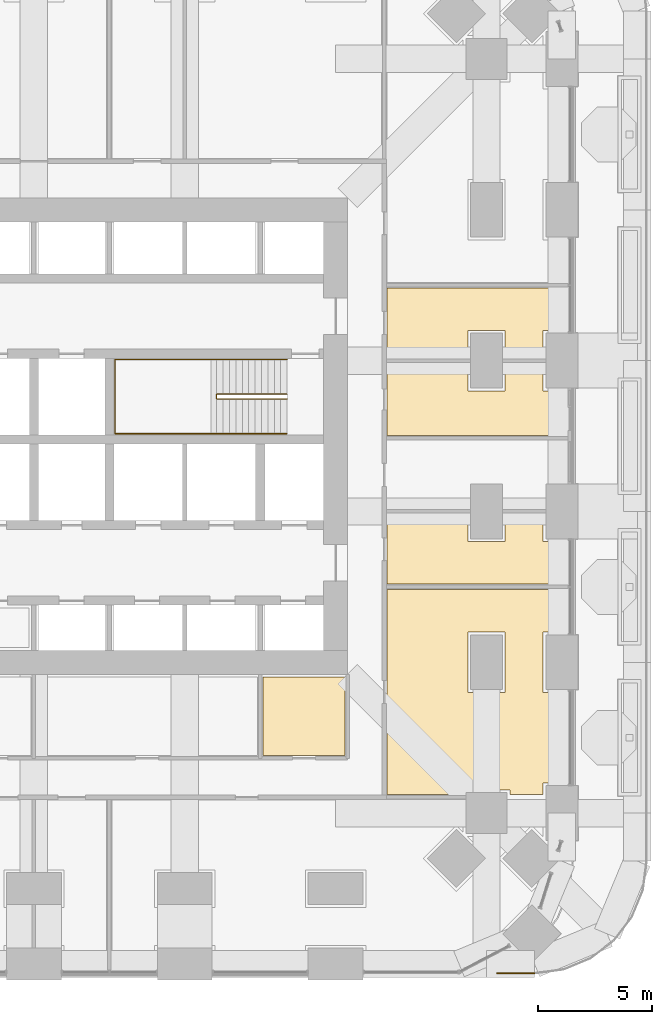
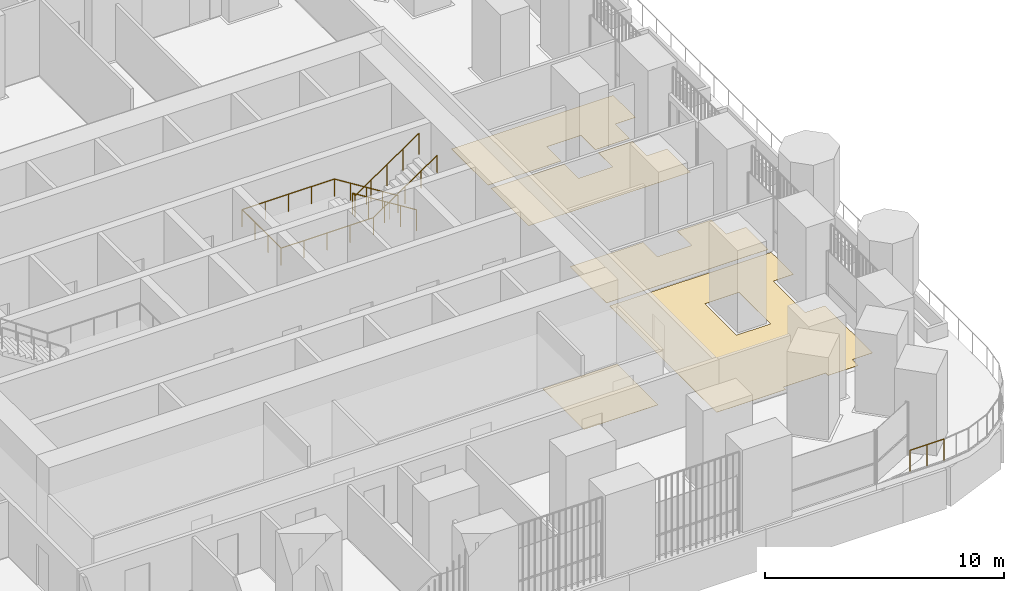
# One storey, part 24 of 27: 5 coverings, 3 railings.
"""IFC4 building model written with IfcOpenShell, lengths in metres."""

from ifc_helpers import new_model, si_unit, direction, frame, origin, place, context, subcontext, project, spatial, polyline, outline, extrude, material, layer, layer_set, type_object, element, save


model = new_model("IFC4")

# Units and contexts
model_context = context("Model", 3, precision=1e-05, world=origin(), true_north=direction((0.0, 1.0)))
body_context = subcontext(model_context, "Body", "Model", "MODEL_VIEW")
ifc_project = project(units=[si_unit("LENGTHUNIT", "METRE"), si_unit("AREAUNIT", "SQUARE_METRE"), si_unit("VOLUMEUNIT", "CUBIC_METRE"), si_unit("PLANEANGLEUNIT", "RADIAN"), si_unit("MASSUNIT", "GRAM", prefix="KILO")], contexts=[model_context])

# Site, building, storey
site_placement = place(None, origin())
site = spatial("IfcSite", under=ifc_project, at=site_placement, CompositionType="ELEMENT")
building_placement = place(site_placement, origin())
building = spatial("IfcBuilding", under=site, at=building_placement, Name="Cobogo Forest Laboratory Tower", CompositionType="ELEMENT")
storey_placement = place(building_placement, frame((0.0, 0.0, 82.199951171875)))
storey = spatial("IfcBuildingStorey", under=building, at=storey_placement, Name="L18", CompositionType="ELEMENT", Elevation=82.199951171875)

# Railing
ifc_material_1 = material(Name="Laminated glass balustrade", Category="glass")
railing_type_1 = type_object("IfcRailingType", Name="BG1 glass balustrade 1100", PredefinedType="GUARDRAIL", material=ifc_material_1)
railing_1_placement = place(storey_placement, frame((46.657958984375, -0.39990234375, 0.06005859375)))
element("IfcRailing", 1, at=railing_1_placement, inside=storey, type_object=railing_type_1, Name="Terrace balustrade TER-E L18", PredefinedType="GUARDRAIL", context=body_context, shape_type="SweptSolid", body=[
    extrude(outline(polyline([(0.022216796875, 0.00927734375), (0.00927734375, 0.022216796875), (-0.00927734375, 0.022216796875), (-0.022216796875, 0.00927734375), (-0.022216796875, -0.00927734375), (-0.00927734375, -0.022216796875), (0.00927734375, -0.022216796875), (0.022216796875, -0.00927734375), (0.022216796875, 0.00927734375)])), frame((0.0, 0.0, 1.077880859375), z_axis=(1.0, 0.0, 0.0), x_axis=(0.0, 1.0, 0.0)), (0.0, 0.0, 1.0), 1.638671875),
    extrude(outline(polyline([(0.019287109375, 0.008056640625), (0.008056640625, 0.019287109375), (-0.008056640625, 0.019287109375), (-0.019287109375, 0.008056640625), (-0.019287109375, -0.008056640625), (-0.008056640625, -0.019287109375), (0.008056640625, -0.019287109375), (0.019287109375, -0.008056640625), (0.019287109375, 0.008056640625)])), origin(), (0.0, 0.0, 1.0), 1.077880859375),
    extrude(outline(polyline([(0.019287109375, 0.008056640625), (0.008056640625, 0.019287109375), (-0.008056640625, 0.019287109375), (-0.019287109375, 0.008056640625), (-0.019287109375, -0.008056640625), (-0.008056640625, -0.019287109375), (0.008056640625, -0.019287109375), (0.019287109375, -0.008056640625), (0.019287109375, 0.008056640625)])), frame((0.8193359375, 0.0, 0.0)), (0.0, 0.0, 1.0), 1.077880859375),
    extrude(outline(polyline([(0.019287109375, 0.008056640625), (0.008056640625, 0.019287109375), (-0.008056640625, 0.019287109375), (-0.019287109375, 0.008056640625), (-0.019287109375, -0.008056640625), (-0.008056640625, -0.019287109375), (0.008056640625, -0.019287109375), (0.019287109375, -0.008056640625), (0.019287109375, 0.008056640625)])), frame((1.638671875, 0.0, 0.0)), (0.0, 0.0, 1.0), 1.077880859375),
])

# Coverings
ifc_material_2 = material(Name="Carpet tile on raised access floor", Category="flooring")
ifc_layer_1 = layer(ifc_material_2, 0.008056640625)
ifc_layer_set_1 = layer_set([ifc_layer_1], Name="CT1 carpet tile floor 8")
covering_type_1 = type_object("IfcCoveringType", Name="CT1 carpet tile floor 8", PredefinedType="FLOORING", material=ifc_layer_set_1)
covering_1_placement = place(storey_placement, origin())
element("IfcCovering", 2, at=covering_1_placement, inside=storey, type_object=covering_type_1, Name="Carpet floor L18-11", PredefinedType="FLOORING", context=body_context, shape_type="SweptSolid", body=[
    extrude(outline(polyline([(41.844970703125, 16.3798828125), (49.64990234375, 16.3798828125), (49.64990234375, 14.52001953125), (48.679931640625, 14.52001953125), (48.679931640625, 11.8798828125), (49.64990234375, 11.8798828125), (49.64990234375, 7.919921875), (48.679931640625, 7.919921875), (48.679931640625, 7.419921875), (47.219970703125, 7.419921875), (47.219970703125, 7.6201171875), (45.179931640625, 7.6201171875), (45.179931640625, 7.419921875), (41.844970703125, 7.419921875), (41.844970703125, 16.3798828125)]), holes=[polyline([(45.3798828125, 11.8798828125), (47.02001953125, 11.8798828125), (47.02001953125, 14.52001953125), (45.3798828125, 14.52001953125), (45.3798828125, 11.8798828125)])]), origin(), (0.0, 0.0, 1.0), 0.008056640625),
])
covering_2_placement = place(storey_placement, origin())
element("IfcCovering", 3, at=covering_2_placement, inside=storey, type_object=covering_type_1, Name="Carpet floor L18-12", PredefinedType="FLOORING", context=body_context, shape_type="SweptSolid", body=[
    extrude(outline(polyline([(41.844970703125, 19.679931640625), (45.3798828125, 19.679931640625), (45.3798828125, 18.47998046875), (47.02001953125, 18.47998046875), (47.02001953125, 19.679931640625), (48.679931640625, 19.679931640625), (48.679931640625, 18.47998046875), (49.64990234375, 18.47998046875), (49.64990234375, 16.6201171875), (41.844970703125, 16.6201171875), (41.844970703125, 19.679931640625)])), origin(), (0.0, 0.0, 1.0), 0.008056640625),
])
covering_3_placement = place(storey_placement, origin())
element("IfcCovering", 4, at=covering_3_placement, inside=storey, type_object=covering_type_1, Name="Carpet floor L18-15", PredefinedType="FLOORING", context=body_context, shape_type="SweptSolid", body=[
    extrude(outline(polyline([(41.844970703125, 29.580078125), (49.64990234375, 29.580078125), (49.64990234375, 27.719970703125), (48.679931640625, 27.719970703125), (48.679931640625, 26.52001953125), (47.02001953125, 26.52001953125), (47.02001953125, 27.719970703125), (45.3798828125, 27.719970703125), (45.3798828125, 26.52001953125), (41.844970703125, 26.52001953125), (41.844970703125, 29.580078125)])), origin(), (0.0, 0.0, 1.0), 0.008056640625),
])

# Railings
ifc_material_3 = material(Name="Steel balustrade", Category="steel")
railing_type_2 = type_object("IfcRailingType", Name="GR stair guard 1100", PredefinedType="GUARDRAIL", material=ifc_material_3)
railing_2_placement = place(storey_placement, frame((37.47509765625, 24.929931640625, 0.175048828125)))
element("IfcRailing", 5, at=railing_2_placement, inside=storey, type_object=railing_type_2, Name="Stair guard ST2 L18", PredefinedType="GUARDRAIL", context=body_context, shape_type="SweptSolid", body=[
    extrude(outline(polyline([(0.022216796875, 0.00927734375), (0.00927734375, 0.022216796875), (-0.00927734375, 0.022216796875), (-0.022216796875, 0.00927734375), (-0.022216796875, -0.00927734375), (-0.00927734375, -0.022216796875), (0.00927734375, -0.022216796875), (0.022216796875, -0.00927734375), (0.022216796875, 0.00927734375)])), frame((0.0, 0.0, 1.077880859375), z_axis=(-0.847998304005, 0.0, 0.529998940003), x_axis=(0.0, -1.0, 0.0)), (0.0, 0.0, 1.0), 3.632080078125),
    extrude(outline(polyline([(0.022216796875, 0.00927734375), (0.00927734375, 0.022216796875), (-0.00927734375, 0.022216796875), (-0.022216796875, 0.00927734375), (-0.022216796875, -0.00927734375), (-0.00927734375, -0.022216796875), (0.00927734375, -0.022216796875), (0.022216796875, -0.00927734375), (0.022216796875, 0.00927734375)])), frame((-3.080078125, 0.0, 3.0029296875), z_axis=(0.0, -1.0, 0.0), x_axis=(1.0, 0.0, 0.0)), (0.0, 0.0, 1.0), 0.2099609375),
    extrude(outline(polyline([(0.022216796875, 0.00927734375), (0.00927734375, 0.022216796875), (-0.00927734375, 0.022216796875), (-0.022216796875, 0.00927734375), (-0.022216796875, -0.00927734375), (-0.00927734375, -0.022216796875), (0.00927734375, -0.022216796875), (0.022216796875, -0.00927734375), (0.022216796875, 0.00927734375)])), frame((-3.080078125, -0.2099609375, 3.0029296875), z_axis=(0.826252282691, 0.0, 0.563300244406), x_axis=(0.0, 1.0, 0.0)), (0.0, 0.0, 1.0), 3.727783203125),
    extrude(outline(polyline([(0.019287109375, 0.008056640625), (0.008056640625, 0.019287109375), (-0.008056640625, 0.019287109375), (-0.019287109375, 0.008056640625), (-0.019287109375, -0.008056640625), (-0.008056640625, -0.019287109375), (0.008056640625, -0.019287109375), (0.019287109375, -0.008056640625), (0.019287109375, 0.008056640625)])), origin(), (0.0, 0.0, 1.0), 1.077880859375),
    extrude(outline(polyline([(0.019287109375, 0.008056640625), (0.008056640625, 0.019287109375), (-0.008056640625, 0.019287109375), (-0.019287109375, 0.008056640625), (-0.019287109375, -0.008056640625), (-0.008056640625, -0.019287109375), (0.008056640625, -0.019287109375), (0.019287109375, -0.008056640625), (0.019287109375, 0.008056640625)])), frame((-0.77001953125, 0.0, 0.481201171875)), (0.0, 0.0, 1.0), 1.077880859375),
    extrude(outline(polyline([(0.019287109375, 0.008056640625), (0.008056640625, 0.019287109375), (-0.008056640625, 0.019287109375), (-0.019287109375, 0.008056640625), (-0.019287109375, -0.008056640625), (-0.008056640625, -0.019287109375), (0.008056640625, -0.019287109375), (0.019287109375, -0.008056640625), (0.019287109375, 0.008056640625)])), frame((-1.5400390625, 0.0, 0.96240234375)), (0.0, 0.0, 1.0), 1.077880859375),
    extrude(outline(polyline([(0.019287109375, 0.008056640625), (0.008056640625, 0.019287109375), (-0.008056640625, 0.019287109375), (-0.019287109375, 0.008056640625), (-0.019287109375, -0.008056640625), (-0.008056640625, -0.019287109375), (0.008056640625, -0.019287109375), (0.019287109375, -0.008056640625), (0.019287109375, 0.008056640625)])), frame((-2.31005859375, 0.0, 1.44384765625)), (0.0, 0.0, 1.0), 1.077880859375),
    extrude(outline(polyline([(0.019287109375, 0.008056640625), (0.008056640625, 0.019287109375), (-0.008056640625, 0.019287109375), (-0.019287109375, 0.008056640625), (-0.019287109375, -0.008056640625), (-0.008056640625, -0.019287109375), (0.008056640625, -0.019287109375), (0.019287109375, -0.008056640625), (0.019287109375, 0.008056640625)])), frame((-3.080078125, 0.0, 1.925048828125)), (0.0, 0.0, 1.0), 1.077880859375),
    extrude(outline(polyline([(0.019287109375, 0.008056640625), (0.008056640625, 0.019287109375), (-0.008056640625, 0.019287109375), (-0.019287109375, 0.008056640625), (-0.019287109375, -0.008056640625), (-0.008056640625, -0.019287109375), (0.008056640625, -0.019287109375), (0.019287109375, -0.008056640625), (0.019287109375, 0.008056640625)])), frame((-3.080078125, -0.2099609375, 1.925048828125)), (0.0, 0.0, 1.0), 1.077880859375),
    extrude(outline(polyline([(0.019287109375, 0.008056640625), (0.008056640625, 0.019287109375), (-0.008056640625, 0.019287109375), (-0.019287109375, 0.008056640625), (-0.019287109375, -0.008056640625), (-0.008056640625, -0.019287109375), (0.008056640625, -0.019287109375), (0.019287109375, -0.008056640625), (0.019287109375, 0.008056640625)])), frame((-2.31005859375, -0.2099609375, 2.449951171875)), (0.0, 0.0, 1.0), 1.077880859375),
    extrude(outline(polyline([(0.019287109375, 0.008056640625), (0.008056640625, 0.019287109375), (-0.008056640625, 0.019287109375), (-0.019287109375, 0.008056640625), (-0.019287109375, -0.008056640625), (-0.008056640625, -0.019287109375), (0.008056640625, -0.019287109375), (0.019287109375, -0.008056640625), (0.019287109375, 0.008056640625)])), frame((-1.5400390625, -0.2099609375, 2.97509765625)), (0.0, 0.0, 1.0), 1.077880859375),
    extrude(outline(polyline([(0.019287109375, 0.008056640625), (0.008056640625, 0.019287109375), (-0.008056640625, 0.019287109375), (-0.019287109375, 0.008056640625), (-0.019287109375, -0.008056640625), (-0.008056640625, -0.019287109375), (0.008056640625, -0.019287109375), (0.019287109375, -0.008056640625), (0.019287109375, 0.008056640625)])), frame((-0.77001953125, -0.2099609375, 3.5)), (0.0, 0.0, 1.0), 1.077880859375),
    extrude(outline(polyline([(0.019287109375, 0.008056640625), (0.008056640625, 0.019287109375), (-0.008056640625, 0.019287109375), (-0.019287109375, 0.008056640625), (-0.019287109375, -0.008056640625), (-0.008056640625, -0.019287109375), (0.008056640625, -0.019287109375), (0.019287109375, -0.008056640625), (0.019287109375, 0.008056640625)])), frame((0.0, -0.2099609375, 4.02490234375)), (0.0, 0.0, 1.0), 1.077880859375),
])
ifc_material_4 = material(Name="Stainless steel handrail", Category="steel")
railing_type_3 = type_object("IfcRailingType", Name="HR handrail 900", PredefinedType="HANDRAIL", material=ifc_material_4)
railing_3_placement = place(storey_placement, frame((37.47509765625, 26.449951171875, 0.175048828125)))
element("IfcRailing", 6, at=railing_3_placement, inside=storey, type_object=railing_type_3, Name="Stair handrail ST2 L18", PredefinedType="HANDRAIL", context=body_context, shape_type="SweptSolid", body=[
    extrude(outline(polyline([(0.022216796875, 0.00927734375), (0.00927734375, 0.022216796875), (-0.00927734375, 0.022216796875), (-0.022216796875, 0.00927734375), (-0.022216796875, -0.00927734375), (-0.00927734375, -0.022216796875), (0.00927734375, -0.022216796875), (0.022216796875, -0.00927734375), (0.022216796875, 0.00927734375)])), frame((0.0, 0.0, 0.877685546875), z_axis=(-0.847998304005, 0.0, 0.529998940003), x_axis=(0.0, -1.0, 0.0)), (0.0, 0.0, 1.0), 3.632080078125),
    extrude(outline(polyline([(0.022216796875, 0.00927734375), (0.00927734375, 0.022216796875), (-0.00927734375, 0.022216796875), (-0.022216796875, 0.00927734375), (-0.022216796875, -0.00927734375), (-0.00927734375, -0.022216796875), (0.00927734375, -0.022216796875), (0.022216796875, -0.00927734375), (0.022216796875, 0.00927734375)])), frame((-3.080078125, 0.0, 2.802734375), z_axis=(-1.0, 0.0, 0.0), x_axis=(0.0, -1.0, 0.0)), (0.0, 0.0, 1.0), 4.445068359375),
    extrude(outline(polyline([(0.022216796875, 0.00927734375), (0.00927734375, 0.022216796875), (-0.00927734375, 0.022216796875), (-0.022216796875, 0.00927734375), (-0.022216796875, -0.00927734375), (-0.00927734375, -0.022216796875), (0.00927734375, -0.022216796875), (0.022216796875, -0.00927734375), (0.022216796875, 0.00927734375)])), frame((-7.525146484375, 0.0, 2.802734375), z_axis=(0.0, -1.0, 0.0), x_axis=(1.0, 0.0, 0.0)), (0.0, 0.0, 1.0), 3.25),
    extrude(outline(polyline([(0.022216796875, 0.00927734375), (0.00927734375, 0.022216796875), (-0.00927734375, 0.022216796875), (-0.022216796875, 0.00927734375), (-0.022216796875, -0.00927734375), (-0.00927734375, -0.022216796875), (0.00927734375, -0.022216796875), (0.022216796875, -0.00927734375), (0.022216796875, 0.00927734375)])), frame((-7.525146484375, -3.25, 2.802734375), z_axis=(1.0, 0.0, 0.0), x_axis=(0.0, 1.0, 0.0)), (0.0, 0.0, 1.0), 4.445068359375),
    extrude(outline(polyline([(0.022216796875, 0.00927734375), (0.00927734375, 0.022216796875), (-0.00927734375, 0.022216796875), (-0.022216796875, 0.00927734375), (-0.022216796875, -0.00927734375), (-0.00927734375, -0.022216796875), (0.00927734375, -0.022216796875), (0.022216796875, -0.00927734375), (0.022216796875, 0.00927734375)])), frame((-3.080078125, -3.25, 2.802734375), z_axis=(0.826252282691, 0.0, 0.563300244406), x_axis=(0.0, 1.0, 0.0)), (0.0, 0.0, 1.0), 3.727783203125),
    extrude(outline(polyline([(0.019287109375, 0.008056640625), (0.008056640625, 0.019287109375), (-0.008056640625, 0.019287109375), (-0.019287109375, 0.008056640625), (-0.019287109375, -0.008056640625), (-0.008056640625, -0.019287109375), (0.008056640625, -0.019287109375), (0.019287109375, -0.008056640625), (0.019287109375, 0.008056640625)])), origin(), (0.0, 0.0, 1.0), 0.877685546875),
    extrude(outline(polyline([(0.019287109375, 0.008056640625), (0.008056640625, 0.019287109375), (-0.008056640625, 0.019287109375), (-0.019287109375, 0.008056640625), (-0.019287109375, -0.008056640625), (-0.008056640625, -0.019287109375), (0.008056640625, -0.019287109375), (0.019287109375, -0.008056640625), (0.019287109375, 0.008056640625)])), frame((-0.77001953125, 0.0, 0.481201171875)), (0.0, 0.0, 1.0), 0.877685546875),
    extrude(outline(polyline([(0.019287109375, 0.008056640625), (0.008056640625, 0.019287109375), (-0.008056640625, 0.019287109375), (-0.019287109375, 0.008056640625), (-0.019287109375, -0.008056640625), (-0.008056640625, -0.019287109375), (0.008056640625, -0.019287109375), (0.019287109375, -0.008056640625), (0.019287109375, 0.008056640625)])), frame((-1.5400390625, 0.0, 0.96240234375)), (0.0, 0.0, 1.0), 0.877685546875),
    extrude(outline(polyline([(0.019287109375, 0.008056640625), (0.008056640625, 0.019287109375), (-0.008056640625, 0.019287109375), (-0.019287109375, 0.008056640625), (-0.019287109375, -0.008056640625), (-0.008056640625, -0.019287109375), (0.008056640625, -0.019287109375), (0.019287109375, -0.008056640625), (0.019287109375, 0.008056640625)])), frame((-2.31005859375, 0.0, 1.44384765625)), (0.0, 0.0, 1.0), 0.877685546875),
    extrude(outline(polyline([(0.019287109375, 0.008056640625), (0.008056640625, 0.019287109375), (-0.008056640625, 0.019287109375), (-0.019287109375, 0.008056640625), (-0.019287109375, -0.008056640625), (-0.008056640625, -0.019287109375), (0.008056640625, -0.019287109375), (0.019287109375, -0.008056640625), (0.019287109375, 0.008056640625)])), frame((-3.080078125, 0.0, 1.925048828125)), (0.0, 0.0, 1.0), 0.877685546875),
    extrude(outline(polyline([(0.019287109375, 0.008056640625), (0.008056640625, 0.019287109375), (-0.008056640625, 0.019287109375), (-0.019287109375, 0.008056640625), (-0.019287109375, -0.008056640625), (-0.008056640625, -0.019287109375), (0.008056640625, -0.019287109375), (0.019287109375, -0.008056640625), (0.019287109375, 0.008056640625)])), frame((-4.19140625, 0.0, 1.925048828125)), (0.0, 0.0, 1.0), 0.877685546875),
    extrude(outline(polyline([(0.019287109375, 0.008056640625), (0.008056640625, 0.019287109375), (-0.008056640625, 0.019287109375), (-0.019287109375, 0.008056640625), (-0.019287109375, -0.008056640625), (-0.008056640625, -0.019287109375), (0.008056640625, -0.019287109375), (0.019287109375, -0.008056640625), (0.019287109375, 0.008056640625)])), frame((-5.302734375, 0.0, 1.925048828125)), (0.0, 0.0, 1.0), 0.877685546875),
    extrude(outline(polyline([(0.019287109375, 0.008056640625), (0.008056640625, 0.019287109375), (-0.008056640625, 0.019287109375), (-0.019287109375, 0.008056640625), (-0.019287109375, -0.008056640625), (-0.008056640625, -0.019287109375), (0.008056640625, -0.019287109375), (0.019287109375, -0.008056640625), (0.019287109375, 0.008056640625)])), frame((-6.413818359375, 0.0, 1.925048828125)), (0.0, 0.0, 1.0), 0.877685546875),
    extrude(outline(polyline([(0.019287109375, 0.008056640625), (0.008056640625, 0.019287109375), (-0.008056640625, 0.019287109375), (-0.019287109375, 0.008056640625), (-0.019287109375, -0.008056640625), (-0.008056640625, -0.019287109375), (0.008056640625, -0.019287109375), (0.019287109375, -0.008056640625), (0.019287109375, 0.008056640625)])), frame((-7.525146484375, 0.0, 1.925048828125)), (0.0, 0.0, 1.0), 0.877685546875),
    extrude(outline(polyline([(0.019287109375, 0.008056640625), (0.008056640625, 0.019287109375), (-0.008056640625, 0.019287109375), (-0.019287109375, 0.008056640625), (-0.019287109375, -0.008056640625), (-0.008056640625, -0.019287109375), (0.008056640625, -0.019287109375), (0.019287109375, -0.008056640625), (0.019287109375, 0.008056640625)])), frame((-7.525146484375, -1.083251953125, 1.925048828125)), (0.0, 0.0, 1.0), 0.877685546875),
    extrude(outline(polyline([(0.019287109375, 0.008056640625), (0.008056640625, 0.019287109375), (-0.008056640625, 0.019287109375), (-0.019287109375, 0.008056640625), (-0.019287109375, -0.008056640625), (-0.008056640625, -0.019287109375), (0.008056640625, -0.019287109375), (0.019287109375, -0.008056640625), (0.019287109375, 0.008056640625)])), frame((-7.525146484375, -2.166748046875, 1.925048828125)), (0.0, 0.0, 1.0), 0.877685546875),
    extrude(outline(polyline([(0.019287109375, 0.008056640625), (0.008056640625, 0.019287109375), (-0.008056640625, 0.019287109375), (-0.019287109375, 0.008056640625), (-0.019287109375, -0.008056640625), (-0.008056640625, -0.019287109375), (0.008056640625, -0.019287109375), (0.019287109375, -0.008056640625), (0.019287109375, 0.008056640625)])), frame((-7.525146484375, -3.25, 1.925048828125)), (0.0, 0.0, 1.0), 0.877685546875),
    extrude(outline(polyline([(0.019287109375, 0.008056640625), (0.008056640625, 0.019287109375), (-0.008056640625, 0.019287109375), (-0.019287109375, 0.008056640625), (-0.019287109375, -0.008056640625), (-0.008056640625, -0.019287109375), (0.008056640625, -0.019287109375), (0.019287109375, -0.008056640625), (0.019287109375, 0.008056640625)])), frame((-6.413818359375, -3.25, 1.925048828125)), (0.0, 0.0, 1.0), 0.877685546875),
    extrude(outline(polyline([(0.019287109375, 0.008056640625), (0.008056640625, 0.019287109375), (-0.008056640625, 0.019287109375), (-0.019287109375, 0.008056640625), (-0.019287109375, -0.008056640625), (-0.008056640625, -0.019287109375), (0.008056640625, -0.019287109375), (0.019287109375, -0.008056640625), (0.019287109375, 0.008056640625)])), frame((-5.302734375, -3.25, 1.925048828125)), (0.0, 0.0, 1.0), 0.877685546875),
    extrude(outline(polyline([(0.019287109375, 0.008056640625), (0.008056640625, 0.019287109375), (-0.008056640625, 0.019287109375), (-0.019287109375, 0.008056640625), (-0.019287109375, -0.008056640625), (-0.008056640625, -0.019287109375), (0.008056640625, -0.019287109375), (0.019287109375, -0.008056640625), (0.019287109375, 0.008056640625)])), frame((-4.19140625, -3.25, 1.925048828125)), (0.0, 0.0, 1.0), 0.877685546875),
    extrude(outline(polyline([(0.019287109375, 0.008056640625), (0.008056640625, 0.019287109375), (-0.008056640625, 0.019287109375), (-0.019287109375, 0.008056640625), (-0.019287109375, -0.008056640625), (-0.008056640625, -0.019287109375), (0.008056640625, -0.019287109375), (0.019287109375, -0.008056640625), (0.019287109375, 0.008056640625)])), frame((-3.080078125, -3.25, 1.925048828125)), (0.0, 0.0, 1.0), 0.877685546875),
    extrude(outline(polyline([(0.019287109375, 0.008056640625), (0.008056640625, 0.019287109375), (-0.008056640625, 0.019287109375), (-0.019287109375, 0.008056640625), (-0.019287109375, -0.008056640625), (-0.008056640625, -0.019287109375), (0.008056640625, -0.019287109375), (0.019287109375, -0.008056640625), (0.019287109375, 0.008056640625)])), frame((-2.31005859375, -3.25, 2.449951171875)), (0.0, 0.0, 1.0), 0.877685546875),
    extrude(outline(polyline([(0.019287109375, 0.008056640625), (0.008056640625, 0.019287109375), (-0.008056640625, 0.019287109375), (-0.019287109375, 0.008056640625), (-0.019287109375, -0.008056640625), (-0.008056640625, -0.019287109375), (0.008056640625, -0.019287109375), (0.019287109375, -0.008056640625), (0.019287109375, 0.008056640625)])), frame((-1.5400390625, -3.25, 2.97509765625)), (0.0, 0.0, 1.0), 0.877685546875),
    extrude(outline(polyline([(0.019287109375, 0.008056640625), (0.008056640625, 0.019287109375), (-0.008056640625, 0.019287109375), (-0.019287109375, 0.008056640625), (-0.019287109375, -0.008056640625), (-0.008056640625, -0.019287109375), (0.008056640625, -0.019287109375), (0.019287109375, -0.008056640625), (0.019287109375, 0.008056640625)])), frame((-0.77001953125, -3.25, 3.5)), (0.0, 0.0, 1.0), 0.877685546875),
    extrude(outline(polyline([(0.019287109375, 0.008056640625), (0.008056640625, 0.019287109375), (-0.008056640625, 0.019287109375), (-0.019287109375, 0.008056640625), (-0.019287109375, -0.008056640625), (-0.008056640625, -0.019287109375), (0.008056640625, -0.019287109375), (0.019287109375, -0.008056640625), (0.019287109375, 0.008056640625)])), frame((0.0, -3.25, 4.02490234375)), (0.0, 0.0, 1.0), 0.877685546875),
])

# Coverings
ifc_material_5 = material(Name="Static-dissipative vinyl flooring", Category="flooring")
ifc_layer_2 = layer(ifc_material_5, 0.0029296875)
ifc_layer_set_2 = layer_set([ifc_layer_2], Name="SD1 static-dissipative vinyl floor 3")
covering_type_2 = type_object("IfcCoveringType", Name="SD1 static-dissipative vinyl floor 3", PredefinedType="FLOORING", material=ifc_layer_set_2)
covering_4_placement = place(storey_placement, origin())
element("IfcCovering", 7, at=covering_4_placement, inside=storey, type_object=covering_type_2, Name="Static-dissipative floor L18-14", PredefinedType="FLOORING", context=body_context, shape_type="SweptSolid", body=[
    extrude(outline(polyline([(41.844970703125, 26.280029296875), (45.3798828125, 26.280029296875), (45.3798828125, 25.080078125), (47.02001953125, 25.080078125), (47.02001953125, 26.280029296875), (48.679931640625, 26.280029296875), (48.679931640625, 25.080078125), (49.64990234375, 25.080078125), (49.64990234375, 23.1201171875), (41.844970703125, 23.1201171875), (41.844970703125, 26.280029296875)])), origin(), (0.0, 0.0, 1.0), 0.0029296875),
])
ifc_material_6 = material(Name="Ceramic floor tile", Category="flooring")
ifc_layer_3 = layer(ifc_material_6, 0.010009765625)
ifc_layer_set_3 = layer_set([ifc_layer_3], Name="TF1 ceramic tile floor 10")
covering_type_3 = type_object("IfcCoveringType", Name="TF1 ceramic tile floor 10", PredefinedType="FLOORING", material=ifc_layer_set_3)
covering_5_placement = place(storey_placement, origin())
element("IfcCovering", 8, at=covering_5_placement, inside=storey, type_object=covering_type_3, Name="Tile floor L18-04", PredefinedType="FLOORING", context=body_context, shape_type="SweptSolid", body=[
    extrude(outline(polyline([(40.0048828125, 9.1201171875), (36.419921875, 9.1201171875), (36.419921875, 12.554931640625), (40.0048828125, 12.554931640625), (40.0048828125, 9.1201171875)])), origin(), (0.0, 0.0, 1.0), 0.010009765625),
])

save(model, "model.ifc")
